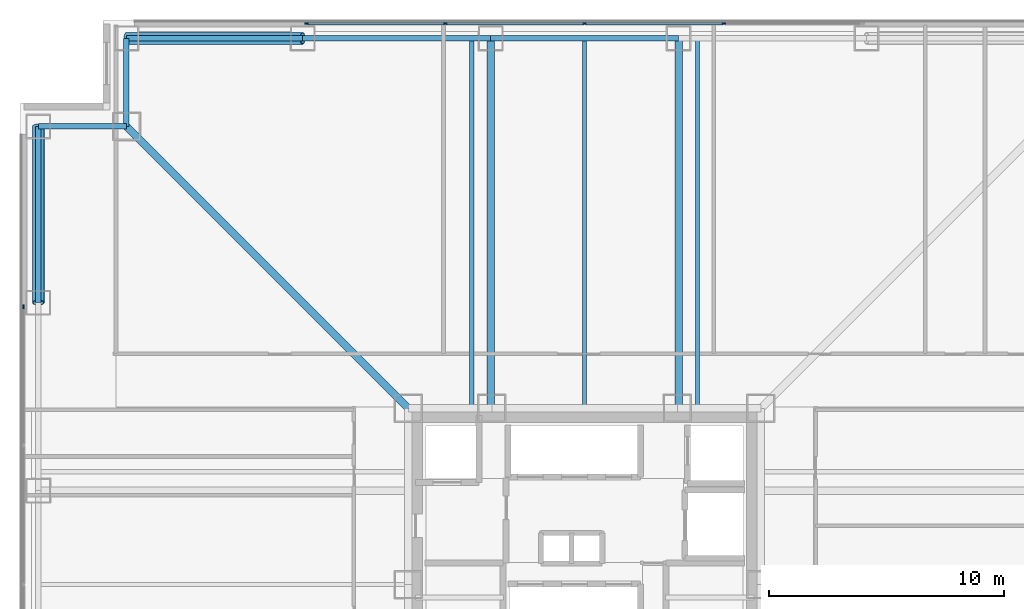
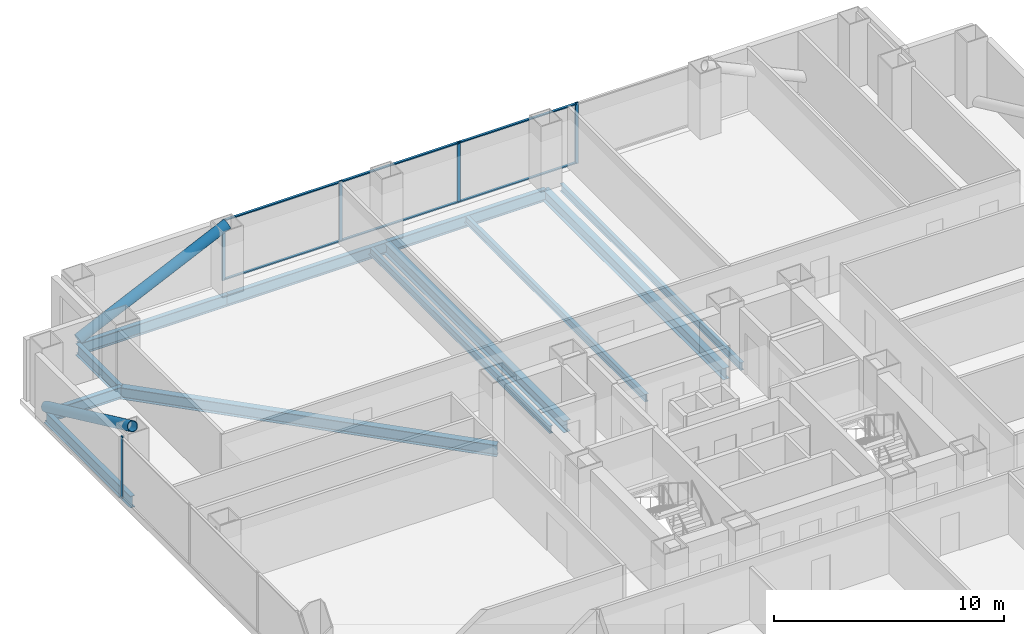
# One storey, part 8 of 15: 13 members, 12 beams, 2 elements without a shape of their own.
"""IFC4 building model written with IfcOpenShell, lengths in metres."""

from ifc_helpers import new_model, si_unit, direction, frame, origin, origin_2d, place, context, subcontext, project, spatial, rectangle, hollow_circle, i_section, extrude, material, layer, layer_set, material_profile, profile_set, type_object, element, aggregate, save


model = new_model("IFC4")

# Units and contexts
model_context = context("Model", 3, precision=1e-05, world=origin(), true_north=direction((0.0, 1.0)))
body_context = subcontext(model_context, "Body", "Model", "MODEL_VIEW")
ifc_project = project(units=[si_unit("LENGTHUNIT", "METRE"), si_unit("AREAUNIT", "SQUARE_METRE"), si_unit("VOLUMEUNIT", "CUBIC_METRE"), si_unit("PLANEANGLEUNIT", "RADIAN"), si_unit("MASSUNIT", "GRAM", prefix="KILO")], contexts=[model_context])

# Site, building, storey
site_placement = place(None, origin())
site = spatial("IfcSite", under=ifc_project, at=site_placement, CompositionType="ELEMENT")
building_placement = place(site_placement, origin())
building = spatial("IfcBuilding", under=site, at=building_placement, Name="Trevonay Congress Spire", CompositionType="ELEMENT")
storey_placement = place(building_placement, frame((0.0, 0.0, 44.5)))
storey = spatial("IfcBuildingStorey", under=building, at=storey_placement, Name="L10", CompositionType="ELEMENT", Elevation=44.5)

# Beams
ifc_material_1 = material(Name="Steel ASTM A572 Grade 50", Category="steel")
ifc_material_profile_1 = material_profile(ifc_material_1, i_section(OverallWidth=0.324951171875, OverallDepth=0.615966796875, WebThickness=0.013916015625, FlangeThickness=0.021484375, FilletRadius=0.01806640625, at=origin_2d()), Name="W610x174")
ifc_profile_set_1 = profile_set([ifc_material_profile_1], Name="Steel ASTM A572 Grade 50")
beam_type_1 = type_object("IfcBeamType", Name="BM-GIRD-W610X174", PredefinedType="BEAM", material=ifc_profile_set_1)
beam_1_placement = place(storey_placement, frame((-7.5, 7.5, -0.55810546875), z_axis=(-0.707106781187, 0.707106781187, 0.0), x_axis=(-0.707106781187, -0.707106781187, 0.0)))
element("IfcBeam", 1, at=beam_1_placement, inside=storey, type_object=beam_type_1, Name="L10 structural beam BM-L10-CDNW", PredefinedType="BEAM", context=body_context, shape_type="SweptSolid", body=[
    extrude(i_section(OverallWidth=0.324951171875, OverallDepth=0.615966796875, WebThickness=0.013916015625, FlangeThickness=0.021484375, FilletRadius=0.01806640625, at=origin_2d()), origin(), (0.0, 0.0, 1.0), 16.970458984375),
])
for number, where, z_axis, x_axis, name in (
    (2, (-4.0, 7.5, -0.55810546875), (0.0, 1.0, 0.0), (-1.0, 0.0, 0.0), "L10 structural beam BM-L10-GN-M"),
    (3, (4.0, 7.5, -0.55810546875), (0.0, 1.0, 0.0), (-1.0, 0.0, 0.0), "L10 structural beam BM-L10-GN-P"),
):
    element("IfcBeam", number, at=place(storey_placement, frame(where, z_axis=z_axis, x_axis=x_axis)), inside=storey, type_object=beam_type_1, Name=name, PredefinedType="BEAM", context=body_context, shape_type="SweptSolid", body=[
        extrude(i_section(OverallWidth=0.324951171875, OverallDepth=0.615966796875, WebThickness=0.013916015625, FlangeThickness=0.021484375, FilletRadius=0.01806640625, at=origin_2d()), origin(), (0.0, 0.0, 1.0), 15.75),
    ])
ifc_material_profile_2 = material_profile(ifc_material_1, i_section(OverallWidth=0.22998046875, OverallDepth=0.616943359375, WebThickness=0.01318359375, FlangeThickness=0.022216796875, FilletRadius=0.01611328125, at=origin_2d()), Name="W610x140")
ifc_profile_set_2 = profile_set([ifc_material_profile_2], Name="Steel ASTM A572 Grade 50")
beam_type_2 = type_object("IfcBeamType", Name="BM-RING-W610X140", PredefinedType="BEAM", material=ifc_profile_set_2)
beam_2_placement = place(storey_placement, frame((-19.5, 23.25, -0.55859375), z_axis=(1.0, 0.0, 0.0), x_axis=(0.0, 1.0, 0.0)))
element("IfcBeam", 4, at=beam_2_placement, inside=storey, type_object=beam_type_2, Name="L10 structural beam BM-L10-PN1", PredefinedType="BEAM", context=body_context, shape_type="SweptSolid", body=[
    extrude(i_section(OverallWidth=0.22998046875, OverallDepth=0.616943359375, WebThickness=0.01318359375, FlangeThickness=0.022216796875, FilletRadius=0.01611328125, at=origin_2d()), origin(), (0.0, 0.0, 1.0), 7.5),
])
for number, where, z_axis, x_axis, name in (
    (5, (-12.0, 23.25, -0.55859375), (1.0, 0.0, 0.0), (0.0, 1.0, 0.0), "L10 structural beam BM-L10-PN2"),
    (6, (-4.0, 23.25, -0.55859375), (1.0, 0.0, 0.0), (0.0, 1.0, 0.0), "L10 structural beam BM-L10-PN3"),
):
    element("IfcBeam", number, at=place(storey_placement, frame(where, z_axis=z_axis, x_axis=x_axis)), inside=storey, type_object=beam_type_2, Name=name, PredefinedType="BEAM", context=body_context, shape_type="SweptSolid", body=[
        extrude(i_section(OverallWidth=0.22998046875, OverallDepth=0.616943359375, WebThickness=0.01318359375, FlangeThickness=0.022216796875, FilletRadius=0.01611328125, at=origin_2d()), origin(), (0.0, 0.0, 1.0), 8.0),
    ])
beam_3_placement = place(storey_placement, frame((-23.25, 12.0, -0.55859375), z_axis=(0.0, 1.0, 0.0), x_axis=(-1.0, 0.0, 0.0)))
element("IfcBeam", 7, at=beam_3_placement, inside=storey, type_object=beam_type_2, Name="L10 structural beam BM-L10-PW5", PredefinedType="BEAM", context=body_context, shape_type="SweptSolid", body=[
    extrude(i_section(OverallWidth=0.22998046875, OverallDepth=0.616943359375, WebThickness=0.01318359375, FlangeThickness=0.022216796875, FilletRadius=0.01611328125, at=origin_2d()), origin(), (0.0, 0.0, 1.0), 7.5),
])
for number, where, z_axis, x_axis, name in (
    (8, (-19.5, 23.25, -0.55859375), (0.0, -1.0, 0.0), (1.0, 0.0, 0.0), "L10 structural beam BM-L10-N1NW"),
    (9, (-23.25, 19.5, -0.55859375), (1.0, 0.0, 0.0), (0.0, 1.0, 0.0), "L10 structural beam BM-L10-N2NW"),
):
    element("IfcBeam", number, at=place(storey_placement, frame(where, z_axis=z_axis, x_axis=x_axis)), inside=storey, type_object=beam_type_2, Name=name, PredefinedType="BEAM", context=body_context, shape_type="SweptSolid", body=[
        extrude(i_section(OverallWidth=0.22998046875, OverallDepth=0.616943359375, WebThickness=0.01318359375, FlangeThickness=0.022216796875, FilletRadius=0.01611328125, at=origin_2d()), origin(), (0.0, 0.0, 1.0), 3.75),
    ])

# Curtain wall, members
ifc_material_2 = material(Name="Pale Anodised Aluminium EN AW-6063-T6", Category="aluminium")
ifc_layer = layer(ifc_material_2, 0.179931640625, Name="Pale Anodised Aluminium EN AW-6063-T6")
ifc_layer_set = layer_set([ifc_layer], Name="Pale Anodised Aluminium EN AW-6063-T6")
curtain_wall_type = type_object("IfcCurtainWallType", Name="CW-SYS02-HOTEL-PALE-METAL", PredefinedType="NOTDEFINED", material=ifc_layer_set)
curtain_wall_1_placement = place(storey_placement, origin())
curtain_wall_1 = element("IfcCurtainWall", 10, at=curtain_wall_1_placement, inside=storey, type_object=curtain_wall_type, Name="L10 N unitised curtain wall", PredefinedType="NOTDEFINED")
ifc_material_profile_3 = material_profile(ifc_material_2, rectangle(XDim=0.06005859375, YDim=0.159912109375, at=origin_2d()), Name="CW-MULLION-160-ALUMINIUM")
ifc_profile_set_3 = profile_set([ifc_material_profile_3], Name="Pale Anodised Aluminium EN AW-6063-T6")
member_type_1 = type_object("IfcMemberType", Name="CW-MULLION-160-ALUMINIUM", PredefinedType="MULLION", material=ifc_profile_set_3)
member_1_placement = place(storey_placement, frame((-11.820068359375, 23.8798828125, 0.0), z_axis=(0.0, 0.0, 1.0), x_axis=(0.0, 1.0, 0.0)))
member_1 = element("IfcMember", 11, at=member_1_placement, type_object=member_type_1, Name="CW02 mullion 1", PredefinedType="MULLION", context=body_context, shape_type="SweptSolid", body=[
    extrude(rectangle(XDim=0.06005859375, YDim=0.159912109375, at=origin_2d()), origin(), (0.0, 0.0, 1.0), 3.25),
])
member_2_placement = place(storey_placement, frame((-5.925048828125, 23.8798828125, 0.0), z_axis=(0.0, 0.0, 1.0), x_axis=(0.0, 1.0, 0.0)))
member_2 = element("IfcMember", 12, at=member_2_placement, type_object=member_type_1, Name="CW02 mullion 2", PredefinedType="MULLION", context=body_context, shape_type="SweptSolid", body=[
    extrude(rectangle(XDim=0.06005859375, YDim=0.159912109375, at=origin_2d()), origin(), (0.0, 0.0, 1.0), 3.25),
])
member_3_placement = place(storey_placement, frame((0.0, 23.8798828125, 0.0), z_axis=(0.0, 0.0, 1.0), x_axis=(0.0, 1.0, 0.0)))
member_3 = element("IfcMember", 13, at=member_3_placement, type_object=member_type_1, Name="CW02 mullion 3", PredefinedType="MULLION", context=body_context, shape_type="SweptSolid", body=[
    extrude(rectangle(XDim=0.06005859375, YDim=0.159912109375, at=origin_2d()), origin(), (0.0, 0.0, 1.0), 3.25),
])
member_4_placement = place(storey_placement, frame((5.925048828125, 23.8798828125, 0.0), z_axis=(0.0, 0.0, 1.0), x_axis=(0.0, 1.0, 0.0)))
member_4 = element("IfcMember", 14, at=member_4_placement, type_object=member_type_1, Name="CW02 mullion 4", PredefinedType="MULLION", context=body_context, shape_type="SweptSolid", body=[
    extrude(rectangle(XDim=0.06005859375, YDim=0.159912109375, at=origin_2d()), origin(), (0.0, 0.0, 1.0), 3.25),
])

# Curtain wall, member
curtain_wall_2_placement = place(storey_placement, origin())
curtain_wall_2 = element("IfcCurtainWall", 15, at=curtain_wall_2_placement, inside=storey, type_object=curtain_wall_type, Name="L10 W unitised curtain wall", PredefinedType="NOTDEFINED")
member_5_placement = place(storey_placement, frame((-23.8798828125, 11.820068359375, 0.0), z_axis=(0.0, 0.0, 1.0), x_axis=(-1.0, 0.0, 0.0)))
member_5 = element("IfcMember", 16, at=member_5_placement, type_object=member_type_1, Name="CW02 mullion 5", PredefinedType="MULLION", context=body_context, shape_type="SweptSolid", body=[
    extrude(rectangle(XDim=0.06005859375, YDim=0.159912109375, at=origin_2d()), origin(), (0.0, 0.0, 1.0), 3.25),
])
aggregate(curtain_wall_2, [member_5])

# Member
ifc_material_profile_4 = material_profile(ifc_material_2, rectangle(XDim=0.1201171875, YDim=0.06005859375, at=origin_2d()), Name="CW-TRANSOM-120-ALUMINIUM")
ifc_profile_set_4 = profile_set([ifc_material_profile_4], Name="Pale Anodised Aluminium EN AW-6063-T6")
member_type_2 = type_object("IfcMemberType", Name="CW-TRANSOM-120-ALUMINIUM", PredefinedType="USERDEFINED", material=ifc_profile_set_4)
member_6_placement = place(storey_placement, frame((-11.7900390625, 23.8798828125, 0.06005859375), z_axis=(1.0, 0.0, 0.0), x_axis=(0.0, 1.0, 0.0)))
member_6 = element("IfcMember", 17, at=member_6_placement, type_object=member_type_2, Name="CW02 transom 1.1", ObjectType="TRANSOM", PredefinedType="USERDEFINED", context=body_context, shape_type="SweptSolid", body=[
    extrude(rectangle(XDim=0.1201171875, YDim=0.06005859375, at=origin_2d()), origin(), (0.0, 0.0, 1.0), 5.8349609375),
])

member_7_placement = place(storey_placement, frame((-11.7900390625, 23.8798828125, 3.18994140625), z_axis=(1.0, 0.0, 0.0), x_axis=(0.0, 1.0, 0.0)))
member_7 = element("IfcMember", 18, at=member_7_placement, type_object=member_type_2, Name="CW02 transom 1.2", ObjectType="TRANSOM", PredefinedType="USERDEFINED", context=body_context, shape_type="SweptSolid", body=[
    extrude(rectangle(XDim=0.1201171875, YDim=0.06005859375, at=origin_2d()), origin(), (0.0, 0.0, 1.0), 5.8349609375),
])

member_8_placement = place(storey_placement, frame((-5.89501953125, 23.8798828125, 0.06005859375), z_axis=(1.0, 0.0, 0.0), x_axis=(0.0, 1.0, 0.0)))
member_8 = element("IfcMember", 19, at=member_8_placement, type_object=member_type_2, Name="CW02 transom 2.1", ObjectType="TRANSOM", PredefinedType="USERDEFINED", context=body_context, shape_type="SweptSolid", body=[
    extrude(rectangle(XDim=0.1201171875, YDim=0.06005859375, at=origin_2d()), origin(), (0.0, 0.0, 1.0), 5.864990234375),
])

member_9_placement = place(storey_placement, frame((-5.89501953125, 23.8798828125, 3.18994140625), z_axis=(1.0, 0.0, 0.0), x_axis=(0.0, 1.0, 0.0)))
member_9 = element("IfcMember", 20, at=member_9_placement, type_object=member_type_2, Name="CW02 transom 2.2", ObjectType="TRANSOM", PredefinedType="USERDEFINED", context=body_context, shape_type="SweptSolid", body=[
    extrude(rectangle(XDim=0.1201171875, YDim=0.06005859375, at=origin_2d()), origin(), (0.0, 0.0, 1.0), 5.864990234375),
])

member_10_placement = place(storey_placement, frame((0.030029296875, 23.8798828125, 0.06005859375), z_axis=(1.0, 0.0, 0.0), x_axis=(0.0, 1.0, 0.0)))
member_10 = element("IfcMember", 21, at=member_10_placement, type_object=member_type_2, Name="CW02 transom 3.1", ObjectType="TRANSOM", PredefinedType="USERDEFINED", context=body_context, shape_type="SweptSolid", body=[
    extrude(rectangle(XDim=0.1201171875, YDim=0.06005859375, at=origin_2d()), origin(), (0.0, 0.0, 1.0), 5.864990234375),
])

member_11_placement = place(storey_placement, frame((0.030029296875, 23.8798828125, 3.18994140625), z_axis=(1.0, 0.0, 0.0), x_axis=(0.0, 1.0, 0.0)))
member_11 = element("IfcMember", 22, at=member_11_placement, type_object=member_type_2, Name="CW02 transom 3.2", ObjectType="TRANSOM", PredefinedType="USERDEFINED", context=body_context, shape_type="SweptSolid", body=[
    extrude(rectangle(XDim=0.1201171875, YDim=0.06005859375, at=origin_2d()), origin(), (0.0, 0.0, 1.0), 5.864990234375),
])

aggregate(curtain_wall_1, [member_1, member_2, member_3, member_4, member_6, member_7, member_8, member_9, member_10, member_11])

# Beams
ifc_material_profile_5 = material_profile(ifc_material_1, i_section(OverallWidth=0.177978515625, OverallDepth=0.406982421875, WebThickness=0.0078125, FlangeThickness=0.0126953125, FilletRadius=0.012939453125, at=origin_2d()), Name="W410x60")
ifc_profile_set_5 = profile_set([ifc_material_profile_5], Name="Steel ASTM A572 Grade 50")
beam_type_3 = type_object("IfcBeamType", Name="JS-COMP-W410X60", PredefinedType="JOIST", material=ifc_profile_set_5)
for number, where, z_axis, x_axis, name in (
    (23, (-4.800048828125, 7.5, -0.45361328125), (0.0, 1.0, 0.0), (-1.0, 0.0, 0.0), "L10 structural beam JS-L10-NS-N1"),
    (24, (0.0, 7.5, -0.45361328125), (0.0, 1.0, 0.0), (-1.0, 0.0, 0.0), "L10 structural beam JS-L10-NS-N2"),
    (25, (4.800048828125, 7.5, -0.45361328125), (0.0, 1.0, 0.0), (-1.0, 0.0, 0.0), "L10 structural beam JS-L10-NS-N3"),
):
    element("IfcBeam", number, at=place(storey_placement, frame(where, z_axis=z_axis, x_axis=x_axis)), inside=storey, type_object=beam_type_3, Name=name, PredefinedType="JOIST", context=body_context, shape_type="SweptSolid", body=[
        extrude(i_section(OverallWidth=0.177978515625, OverallDepth=0.406982421875, WebThickness=0.0078125, FlangeThickness=0.0126953125, FilletRadius=0.012939453125, at=origin_2d()), origin(), (0.0, 0.0, 1.0), 15.75),
    ])

# Members
ifc_material_profile_6 = material_profile(ifc_material_1, hollow_circle(Radius=0.25390625, WallThickness=0.02490234375, at=origin_2d()), Name="CHS 508x25")
ifc_profile_set_6 = profile_set([ifc_material_profile_6], Name="Steel ASTM A572 Grade 50")
member_type_3 = type_object("IfcMemberType", Name="MBR-TUBE-CHS508", PredefinedType="BRACE", material=ifc_profile_set_6)
for number, where, z_axis, x_axis, name in (
    (26, (-19.5, 23.25, -0.050048828125), (0.906183139995, 0.0, 0.422885465331), (0.0, 1.0, 0.0), "L10 perimeter braced-tube diagonal N0"),
    (27, (-23.25, 19.5, -0.050048828125), (0.0, -0.906183139995, 0.422885465331), (1.0, 0.0, 0.0), "L10 perimeter braced-tube diagonal W4"),
):
    element("IfcMember", number, at=place(storey_placement, frame(where, z_axis=z_axis, x_axis=x_axis)), inside=storey, type_object=member_type_3, Name=name, PredefinedType="BRACE", context=body_context, shape_type="SweptSolid", body=[
        extrude(hollow_circle(Radius=0.25390625, WallThickness=0.02490234375, at=origin_2d()), origin(), (0.0, 0.0, 1.0), 8.2763671875),
    ])

save(model, "model.ifc")
